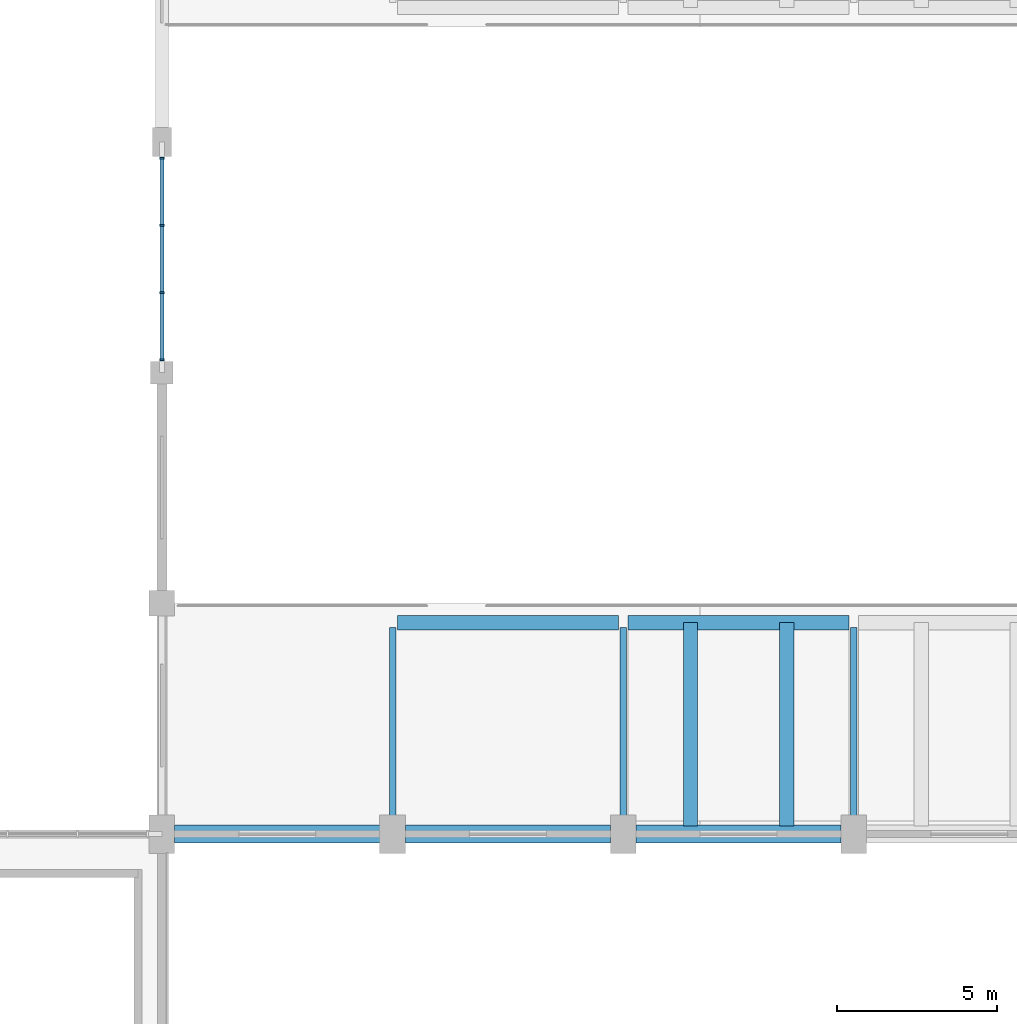
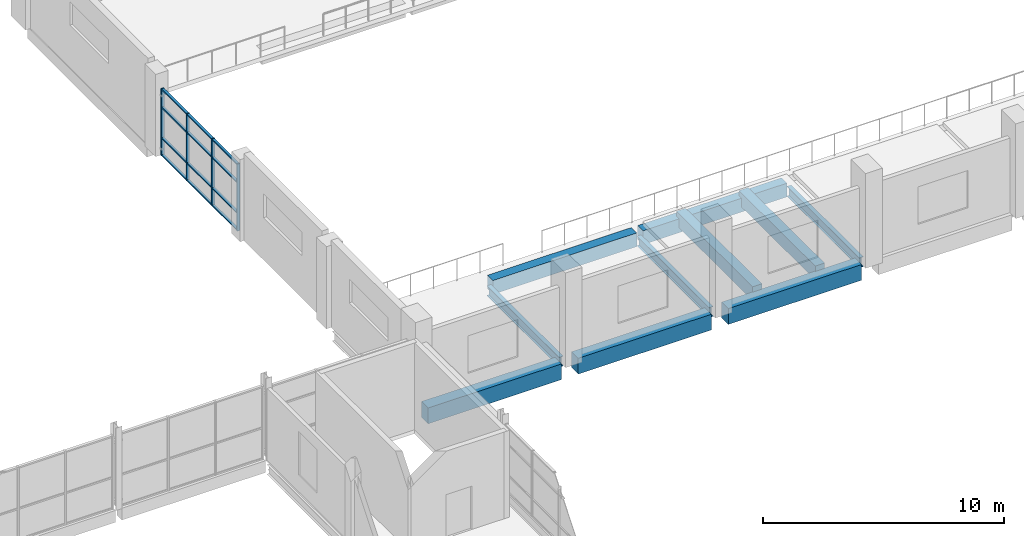
# One storey, part 26 of 71: 16 members, 10 beams, 1 element without a shape of its own.
"""IFC4 building model written with IfcOpenShell, lengths in metres."""

from ifc_helpers import new_model, si_unit, direction, frame, origin, origin_2d, place, context, subcontext, project, spatial, rectangle, i_section, extrude, material, material_profile, profile_set, type_object, element, aggregate, save


model = new_model("IFC4")

# Units and contexts
model_context = context("Model", 3, precision=1e-05, world=origin(), true_north=direction((0.0, 1.0)))
body_context = subcontext(model_context, "Body", "Model", "MODEL_VIEW")
ifc_project = project(units=[si_unit("LENGTHUNIT", "METRE"), si_unit("AREAUNIT", "SQUARE_METRE"), si_unit("VOLUMEUNIT", "CUBIC_METRE"), si_unit("PLANEANGLEUNIT", "RADIAN"), si_unit("MASSUNIT", "GRAM", prefix="KILO")], contexts=[model_context])

# Site, building, storey
site_placement = place(None, origin())
site = spatial("IfcSite", under=ifc_project, at=site_placement, CompositionType="ELEMENT")
building_placement = place(site_placement, origin())
building = spatial("IfcBuilding", under=site, at=building_placement, Name="Sardonyx Promenade Sports Hall", CompositionType="ELEMENT")
storey_placement = place(building_placement, frame((0.0, 0.0, 16.0)))
storey = spatial("IfcBuildingStorey", under=building, at=storey_placement, Name="L03", CompositionType="ELEMENT", Elevation=16.0)

# Beams
ifc_material_1 = material(Name="Concrete C40/50", Category="concrete")
ifc_material_profile_1 = material_profile(ifc_material_1, rectangle(XDim=0.550048828125, YDim=0.800048828125, at=origin_2d()))
ifc_profile_set_1 = profile_set([ifc_material_profile_1], Name="Concrete C40/50")
beam_type_1 = type_object("IfcBeamType", Name="Bm_Girder_RC800", PredefinedType="BEAM", material=ifc_profile_set_1)
for number, where, z_axis, x_axis, name in (
    (1, (29.199951171875, 72.0, -0.39990234375), (1.0, 0.0, 0.0), (0.0, 1.0, 0.0), "Beam BG04 L03 #791"),
    (2, (36.39990234375, 72.0, -0.39990234375), (1.0, 0.0, 0.0), (0.0, 1.0, 0.0), "Beam BG04 L03 #792"),
):
    element("IfcBeam", number, at=place(storey_placement, frame(where, z_axis=z_axis, x_axis=x_axis)), inside=storey, type_object=beam_type_1, Name=name, PredefinedType="BEAM", context=body_context, shape_type="SweptSolid", body=[
        extrude(rectangle(XDim=0.550048828125, YDim=0.800048828125, at=origin_2d()), origin(), (0.0, 0.0, 1.0), 6.400146484375),
    ])
beam_placement = place(storey_placement, frame((43.60009765625, 72.0, -0.39990234375), z_axis=(1.0, 0.0, 0.0), x_axis=(0.0, 1.0, 0.0)))
element("IfcBeam", 3, at=beam_placement, inside=storey, type_object=beam_type_1, Name="Beam BG04 L03 #793", PredefinedType="BEAM", context=body_context, shape_type="SweptSolid", body=[
    extrude(rectangle(XDim=0.550048828125, YDim=0.800048828125, at=origin_2d()), origin(), (0.0, 0.0, 1.0), 6.39990234375),
])
ifc_material_2 = material(Name="Steel S355JR", Category="steel")
ifc_material_profile_2 = material_profile(ifc_material_2, i_section(OverallWidth=0.199951171875, OverallDepth=0.5, WebThickness=0.01025390625, FlangeThickness=0.01611328125, at=origin_2d()))
ifc_profile_set_2 = profile_set([ifc_material_profile_2], Name="Steel S355JR")
beam_type_2 = type_object("IfcBeamType", Name="Bm_Primary_IPE500", PredefinedType="BEAM", material=ifc_profile_set_2)
for number, where, z_axis, x_axis, name in (
    (4, (36.0, 72.449951171875, -0.469970703125), (0.0, 1.0, 0.0), (-1.0, 0.0, 0.0), "Beam SB06 L03 #831"),
    (5, (43.199951171875, 72.449951171875, -0.469970703125), (0.0, 1.0, 0.0), (-1.0, 0.0, 0.0), "Beam SB06 L03 #837"),
    (6, (50.39990234375, 72.449951171875, -0.469970703125), (0.0, 1.0, 0.0), (-1.0, 0.0, 0.0), "Beam SB06 L03 #839"),
):
    element("IfcBeam", number, at=place(storey_placement, frame(where, z_axis=z_axis, x_axis=x_axis)), inside=storey, type_object=beam_type_2, Name=name, PredefinedType="BEAM", context=body_context, shape_type="SweptSolid", body=[
        extrude(i_section(OverallWidth=0.199951171875, OverallDepth=0.5, WebThickness=0.01025390625, FlangeThickness=0.01611328125, at=origin_2d()), origin(), (0.0, 0.0, 1.0), 6.0),
    ])
ifc_material_3 = material(Name="Concrete C40/50", Category="concrete")
ifc_material_profile_3 = material_profile(ifc_material_3, rectangle(XDim=0.449951171875, YDim=0.699951171875, at=origin_2d()))
ifc_profile_set_3 = profile_set([ifc_material_profile_3], Name="Concrete C40/50")
beam_type_3 = type_object("IfcBeamType", Name="Bm_Primary_RC700", PredefinedType="BEAM", material=ifc_profile_set_3)
for number, where, z_axis, x_axis, name in (
    (7, (36.14794921875, 78.60009765625, -0.35009765625), (1.0, 0.0, 0.0), (0.0, 1.0, 0.0), "Concourse longitudinal beam #30"),
    (8, (43.347900390625, 78.60009765625, -0.35009765625), (1.0, 0.0, 0.0), (0.0, 1.0, 0.0), "Concourse longitudinal beam #32"),
):
    element("IfcBeam", number, at=place(storey_placement, frame(where, z_axis=z_axis, x_axis=x_axis)), inside=storey, type_object=beam_type_3, Name=name, PredefinedType="BEAM", context=body_context, shape_type="SweptSolid", body=[
        extrude(rectangle(XDim=0.449951171875, YDim=0.699951171875, at=origin_2d()), origin(), (0.0, 0.0, 1.0), 6.904052734375),
    ])
ifc_material_4 = material(Name="Concrete C40/50", Category="concrete")
ifc_material_profile_4 = material_profile(ifc_material_4, rectangle(XDim=0.449951171875, YDim=0.699951171875, at=origin_2d()))
ifc_profile_set_4 = profile_set([ifc_material_profile_4], Name="Concrete C40/50")
beam_type_4 = type_object("IfcBeamType", Name="Bm_Raker_Stand", PredefinedType="BEAM", material=ifc_profile_set_4)
for number, where, z_axis, x_axis, name in (
    (9, (45.300048828125, 78.60009765625, -0.10009765625), (0.0, -0.999995030488, 0.003152617935), (1.0, 0.0, 0.0), "Stand raker beam upper S #1-1"),
    (10, (48.300048828125, 78.60009765625, -0.10009765625), (0.0, -0.999995030488, 0.003152617935), (1.0, 0.0, 0.0), "Stand raker beam upper S #1-2"),
):
    element("IfcBeam", number, at=place(storey_placement, frame(where, z_axis=z_axis, x_axis=x_axis)), inside=storey, type_object=beam_type_4, Name=name, PredefinedType="BEAM", context=body_context, shape_type="SweptSolid", body=[
        extrude(rectangle(XDim=0.449951171875, YDim=0.699951171875, at=origin_2d()), origin(), (0.0, 0.0, 1.0), 6.35009765625),
    ])

# Curtain wall, members
ifc_material_5 = material(Name="Aluminium 6063-T6", Category="aluminium")
curtain_wall_type = type_object("IfcCurtainWallType", Name="CW_South_L03_640", PredefinedType="USERDEFINED", material=ifc_material_5)
curtain_wall_placement = place(storey_placement, origin())
curtain_wall = element("IfcCurtainWall", 11, at=curtain_wall_placement, inside=storey, type_object=curtain_wall_type, Name="Curtain wall CW14 cw:L03:147", ObjectType="CURTAIN WALL", PredefinedType="USERDEFINED")
ifc_material_6 = material(Name="Aluminium 6063-T6", Category="aluminium")
ifc_material_profile_5 = material_profile(ifc_material_6, rectangle(XDim=0.06005859375, YDim=0.14990234375, at=origin_2d()))
ifc_profile_set_5 = profile_set([ifc_material_profile_5], Name="Aluminium 6063-T6")
member_type_1 = type_object("IfcMemberType", Name="CW_Mull_150", PredefinedType="MULLION", material=ifc_profile_set_5)
member_1_placement = place(storey_placement, frame((28.800048828125, 86.800048828125, 0.0), z_axis=(0.0, 0.0, 1.0), x_axis=(0.0, 1.0, 0.0)))
member_1 = element("IfcMember", 12, at=member_1_placement, type_object=member_type_1, Name="Mullion CM01 cw:L03:147 #1", PredefinedType="MULLION", context=body_context, shape_type="SweptSolid", body=[
    extrude(rectangle(XDim=0.06005859375, YDim=0.14990234375, at=origin_2d()), origin(), (0.0, 0.0, 1.0), 3.39990234375),
])
member_2_placement = place(storey_placement, frame((28.800048828125, 88.89990234375, 0.0), z_axis=(0.0, 0.0, 1.0), x_axis=(0.0, 1.0, 0.0)))
member_2 = element("IfcMember", 13, at=member_2_placement, type_object=member_type_1, Name="Mullion CM01 cw:L03:147 #2", PredefinedType="MULLION", context=body_context, shape_type="SweptSolid", body=[
    extrude(rectangle(XDim=0.06005859375, YDim=0.14990234375, at=origin_2d()), origin(), (0.0, 0.0, 1.0), 3.39990234375),
])
member_3_placement = place(storey_placement, frame((28.800048828125, 91.0, 0.0), z_axis=(0.0, 0.0, 1.0), x_axis=(0.0, 1.0, 0.0)))
member_3 = element("IfcMember", 14, at=member_3_placement, type_object=member_type_1, Name="Mullion CM01 cw:L03:147 #3", PredefinedType="MULLION", context=body_context, shape_type="SweptSolid", body=[
    extrude(rectangle(XDim=0.06005859375, YDim=0.14990234375, at=origin_2d()), origin(), (0.0, 0.0, 1.0), 3.39990234375),
])
member_4_placement = place(storey_placement, frame((28.800048828125, 93.10009765625, 0.0), z_axis=(0.0, 0.0, 1.0), x_axis=(0.0, 1.0, 0.0)))
member_4 = element("IfcMember", 15, at=member_4_placement, type_object=member_type_1, Name="Mullion CM01 cw:L03:147 #4", PredefinedType="MULLION", context=body_context, shape_type="SweptSolid", body=[
    extrude(rectangle(XDim=0.06005859375, YDim=0.14990234375, at=origin_2d()), origin(), (0.0, 0.0, 1.0), 3.39990234375),
])
ifc_material_7 = material(Name="Aluminium 6063-T6", Category="aluminium")
ifc_material_profile_6 = material_profile(ifc_material_7, rectangle(XDim=0.06005859375, YDim=0.1201171875, at=origin_2d()))
ifc_profile_set_6 = profile_set([ifc_material_profile_6], Name="Aluminium 6063-T6")
member_type_2 = type_object("IfcMemberType", Name="CW_Tran_120", PredefinedType="USERDEFINED", material=ifc_profile_set_6)
member_5_placement = place(storey_placement, frame((28.800048828125, 86.830078125, 0.030029296875), z_axis=(0.0, 1.0, 0.0), x_axis=(0.0, 0.0, 1.0)))
member_5 = element("IfcMember", 16, at=member_5_placement, type_object=member_type_2, Name="Transom CT01 cw:L03:147 #1", ObjectType="TRANSOM", PredefinedType="USERDEFINED", context=body_context, shape_type="SweptSolid", body=[
    extrude(rectangle(XDim=0.06005859375, YDim=0.1201171875, at=origin_2d()), origin(), (0.0, 0.0, 1.0), 2.0400390625),
])
member_6_placement = place(storey_placement, frame((28.800048828125, 86.830078125, 0.89990234375), z_axis=(0.0, 1.0, 0.0), x_axis=(0.0, 0.0, 1.0)))
member_6 = element("IfcMember", 17, at=member_6_placement, type_object=member_type_2, Name="Transom CT01 cw:L03:147 #2", ObjectType="TRANSOM", PredefinedType="USERDEFINED", context=body_context, shape_type="SweptSolid", body=[
    extrude(rectangle(XDim=0.06005859375, YDim=0.1201171875, at=origin_2d()), origin(), (0.0, 0.0, 1.0), 2.0400390625),
])
member_7_placement = place(storey_placement, frame((28.800048828125, 86.830078125, 2.449951171875), z_axis=(0.0, 1.0, 0.0), x_axis=(0.0, 0.0, 1.0)))
member_7 = element("IfcMember", 18, at=member_7_placement, type_object=member_type_2, Name="Transom CT01 cw:L03:147 #3", ObjectType="TRANSOM", PredefinedType="USERDEFINED", context=body_context, shape_type="SweptSolid", body=[
    extrude(rectangle(XDim=0.06005859375, YDim=0.1201171875, at=origin_2d()), origin(), (0.0, 0.0, 1.0), 2.0400390625),
])
member_8_placement = place(storey_placement, frame((28.800048828125, 86.830078125, 3.3701171875), z_axis=(0.0, 1.0, 0.0), x_axis=(0.0, 0.0, 1.0)))
member_8 = element("IfcMember", 19, at=member_8_placement, type_object=member_type_2, Name="Transom CT01 cw:L03:147 #4", ObjectType="TRANSOM", PredefinedType="USERDEFINED", context=body_context, shape_type="SweptSolid", body=[
    extrude(rectangle(XDim=0.06005859375, YDim=0.1201171875, at=origin_2d()), origin(), (0.0, 0.0, 1.0), 2.0400390625),
])
member_9_placement = place(storey_placement, frame((28.800048828125, 88.929931640625, 0.030029296875), z_axis=(0.0, 1.0, 0.0), x_axis=(0.0, 0.0, 1.0)))
member_9 = element("IfcMember", 20, at=member_9_placement, type_object=member_type_2, Name="Transom CT01 cw:L03:147 #5", ObjectType="TRANSOM", PredefinedType="USERDEFINED", context=body_context, shape_type="SweptSolid", body=[
    extrude(rectangle(XDim=0.06005859375, YDim=0.1201171875, at=origin_2d()), origin(), (0.0, 0.0, 1.0), 2.0400390625),
])
member_10_placement = place(storey_placement, frame((28.800048828125, 88.929931640625, 0.89990234375), z_axis=(0.0, 1.0, 0.0), x_axis=(0.0, 0.0, 1.0)))
member_10 = element("IfcMember", 21, at=member_10_placement, type_object=member_type_2, Name="Transom CT01 cw:L03:147 #6", ObjectType="TRANSOM", PredefinedType="USERDEFINED", context=body_context, shape_type="SweptSolid", body=[
    extrude(rectangle(XDim=0.06005859375, YDim=0.1201171875, at=origin_2d()), origin(), (0.0, 0.0, 1.0), 2.0400390625),
])
member_11_placement = place(storey_placement, frame((28.800048828125, 88.929931640625, 2.449951171875), z_axis=(0.0, 1.0, 0.0), x_axis=(0.0, 0.0, 1.0)))
member_11 = element("IfcMember", 22, at=member_11_placement, type_object=member_type_2, Name="Transom CT01 cw:L03:147 #7", ObjectType="TRANSOM", PredefinedType="USERDEFINED", context=body_context, shape_type="SweptSolid", body=[
    extrude(rectangle(XDim=0.06005859375, YDim=0.1201171875, at=origin_2d()), origin(), (0.0, 0.0, 1.0), 2.0400390625),
])
member_12_placement = place(storey_placement, frame((28.800048828125, 88.929931640625, 3.3701171875), z_axis=(0.0, 1.0, 0.0), x_axis=(0.0, 0.0, 1.0)))
member_12 = element("IfcMember", 23, at=member_12_placement, type_object=member_type_2, Name="Transom CT01 cw:L03:147 #8", ObjectType="TRANSOM", PredefinedType="USERDEFINED", context=body_context, shape_type="SweptSolid", body=[
    extrude(rectangle(XDim=0.06005859375, YDim=0.1201171875, at=origin_2d()), origin(), (0.0, 0.0, 1.0), 2.0400390625),
])
member_13_placement = place(storey_placement, frame((28.800048828125, 91.030029296875, 0.030029296875), z_axis=(0.0, 1.0, 0.0), x_axis=(0.0, 0.0, 1.0)))
member_13 = element("IfcMember", 24, at=member_13_placement, type_object=member_type_2, Name="Transom CT01 cw:L03:147 #9", ObjectType="TRANSOM", PredefinedType="USERDEFINED", context=body_context, shape_type="SweptSolid", body=[
    extrude(rectangle(XDim=0.06005859375, YDim=0.1201171875, at=origin_2d()), origin(), (0.0, 0.0, 1.0), 2.0400390625),
])
member_14_placement = place(storey_placement, frame((28.800048828125, 91.030029296875, 0.89990234375), z_axis=(0.0, 1.0, 0.0), x_axis=(0.0, 0.0, 1.0)))
member_14 = element("IfcMember", 25, at=member_14_placement, type_object=member_type_2, Name="Transom CT01 cw:L03:147 #10", ObjectType="TRANSOM", PredefinedType="USERDEFINED", context=body_context, shape_type="SweptSolid", body=[
    extrude(rectangle(XDim=0.06005859375, YDim=0.1201171875, at=origin_2d()), origin(), (0.0, 0.0, 1.0), 2.0400390625),
])
member_15_placement = place(storey_placement, frame((28.800048828125, 91.030029296875, 2.449951171875), z_axis=(0.0, 1.0, 0.0), x_axis=(0.0, 0.0, 1.0)))
member_15 = element("IfcMember", 26, at=member_15_placement, type_object=member_type_2, Name="Transom CT01 cw:L03:147 #11", ObjectType="TRANSOM", PredefinedType="USERDEFINED", context=body_context, shape_type="SweptSolid", body=[
    extrude(rectangle(XDim=0.06005859375, YDim=0.1201171875, at=origin_2d()), origin(), (0.0, 0.0, 1.0), 2.0400390625),
])
member_16_placement = place(storey_placement, frame((28.800048828125, 91.030029296875, 3.3701171875), z_axis=(0.0, 1.0, 0.0), x_axis=(0.0, 0.0, 1.0)))
member_16 = element("IfcMember", 27, at=member_16_placement, type_object=member_type_2, Name="Transom CT01 cw:L03:147 #12", ObjectType="TRANSOM", PredefinedType="USERDEFINED", context=body_context, shape_type="SweptSolid", body=[
    extrude(rectangle(XDim=0.06005859375, YDim=0.1201171875, at=origin_2d()), origin(), (0.0, 0.0, 1.0), 2.0400390625),
])
aggregate(curtain_wall, [member_1, member_2, member_3, member_4, member_5, member_6, member_7, member_8, member_9, member_10, member_11, member_12, member_13, member_14, member_15, member_16])

save(model, "model.ifc")
